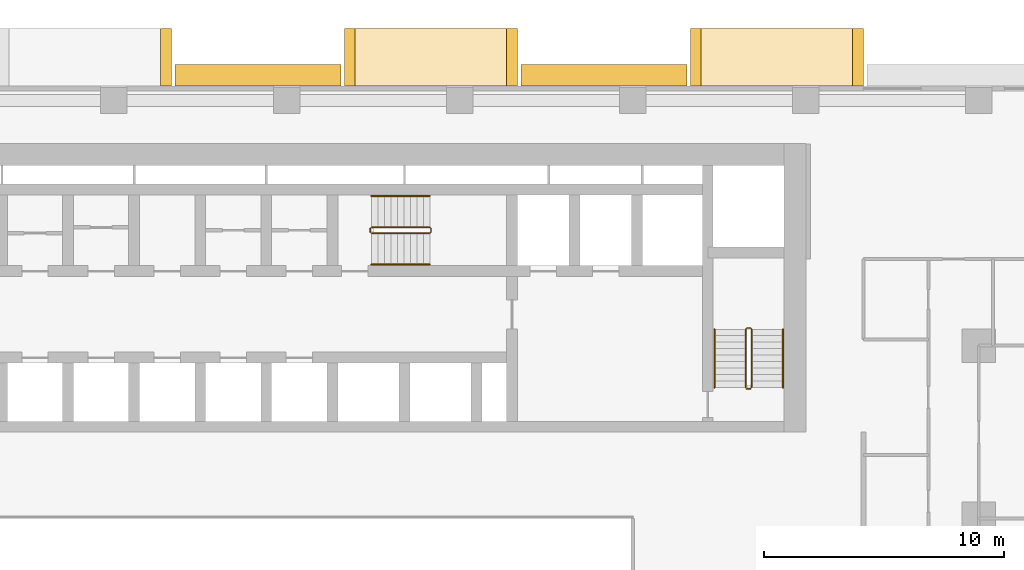
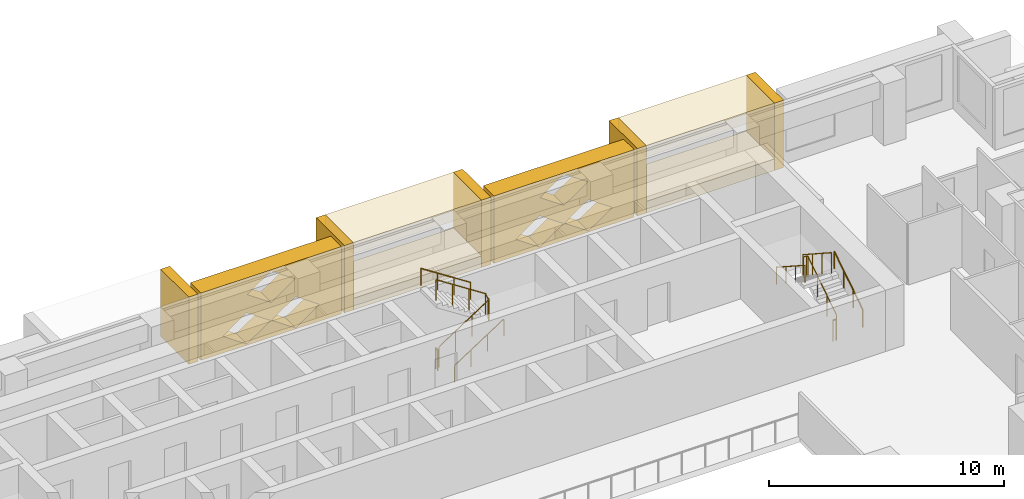
# One storey, part 16 of 17: 11 coverings, 8 railings.
"""IFC4 building model written with IfcOpenShell, lengths in metres."""

from ifc_helpers import new_model, si_unit, direction, frame, origin, origin_2d, place, context, subcontext, project, spatial, polyline, circle, outline, extrude, material, type_object, element, save


model = new_model("IFC4")

# Units and contexts
model_context = context("Model", 3, precision=1e-05, world=origin(), true_north=direction((0.0, 1.0)))
body_context = subcontext(model_context, "Body", "Model", "MODEL_VIEW")
ifc_project = project(units=[si_unit("LENGTHUNIT", "METRE"), si_unit("AREAUNIT", "SQUARE_METRE"), si_unit("VOLUMEUNIT", "CUBIC_METRE"), si_unit("PLANEANGLEUNIT", "RADIAN"), si_unit("MASSUNIT", "GRAM", prefix="KILO")], contexts=[model_context])

# Site, building, storey
site_placement = place(None, origin())
site = spatial("IfcSite", under=ifc_project, at=site_placement, CompositionType="ELEMENT")
building_placement = place(site_placement, origin())
building = spatial("IfcBuilding", under=site, at=building_placement, Name="Saffron Iwan Residences", CompositionType="ELEMENT")
storey_placement = place(building_placement, frame((0.0, 0.0, 51.5)))
storey = spatial("IfcBuildingStorey", under=building, at=storey_placement, Name="L12", CompositionType="ELEMENT", Elevation=51.5)

# Coverings
ifc_material_1 = material(Name="Precast concrete C40/50", Category="concrete")
covering_type_1 = type_object("IfcCoveringType", Name="OUTER SKIN LATTICE SCREEN", PredefinedType="CLADDING", material=ifc_material_1)
for number, where, z_axis, x_axis, name in (
    (1, (67.050048828125, 80.39990234375, -0.320068359375), (0.0, 1.0, 0.0), (-1.0, 0.0, 0.0), "OUTER SKIN lattice screen L12 F5.1"),
    (2, (52.64990234375, 80.39990234375, -0.320068359375), (0.0, 1.0, 0.0), (-1.0, 0.0, 0.0), "OUTER SKIN lattice screen L12 F5.2"),
):
    element("IfcCovering", number, at=place(storey_placement, frame(where, z_axis=z_axis, x_axis=x_axis)), inside=storey, type_object=covering_type_1, Name=name, PredefinedType="CLADDING", context=body_context, shape_type="SweptSolid", body=[
        extrude(outline(polyline([(0.0, 0.0), (6.89990234375, 0.0), (6.89990234375, 3.5), (0.0, 3.5), (0.0, 0.0)]), holes=[polyline([(1.070068359375, 0.875), (2.25, 0.06005859375), (3.429931640625, 0.875), (2.25, 1.68994140625), (1.070068359375, 0.875)]), polyline([(3.469970703125, 0.875), (4.64990234375, 0.06005859375), (5.830078125, 0.875), (4.64990234375, 1.68994140625), (3.469970703125, 0.875)]), polyline([(2.27001953125, 2.625), (3.449951171875, 1.81005859375), (4.6298828125, 2.625), (3.449951171875, 3.43994140625), (2.27001953125, 2.625)])]), origin(), (0.0, 0.0, 1.0), 0.900146484375),
    ])

# Railings
ifc_material_2 = material(Name="Steel S355", Category="steel")
railing_type_1 = type_object("IfcRailingType", Name="Stair guard 1100", PredefinedType="GUARDRAIL", material=ifc_material_2)
railing_1_placement = place(storey_placement, frame((53.925048828125, 74.27490234375, 0.175048828125)))
element("IfcRailing", 3, at=railing_1_placement, inside=storey, type_object=railing_type_1, Name="L12 ST-C stair guard 1", PredefinedType="GUARDRAIL", context=body_context, shape_type="SweptSolid", body=[
    extrude(circle(Radius=0.02392578125, at=origin_2d()), frame((0.0, 0.0, 1.076171875), z_axis=(0.839153699163, 0.0, 0.543894354798), x_axis=(0.0, 1.0, 0.0)), (0.0, 0.0, 1.0), 2.895751953125),
    extrude(circle(Radius=0.02392578125, at=origin_2d()), frame((2.429931640625, 0.0, 2.65087890625), z_axis=(0.707106781187, 0.707106781187, 0.0), x_axis=(-0.707106781187, 0.707106781187, 0.0)), (0.0, 0.0, 1.0), 0.07080078125),
    extrude(circle(Radius=0.02392578125, at=origin_2d()), frame((2.47998046875, 0.050048828125, 2.65087890625), z_axis=(0.0, 1.0, 0.0), x_axis=(-1.0, 0.0, 0.0)), (0.0, 0.0, 1.0), 0.150146484375),
    extrude(circle(Radius=0.02392578125, at=origin_2d()), frame((2.47998046875, 0.2001953125, 2.65087890625), z_axis=(-0.265155923931, 0.263862480399, 0.927399011991), x_axis=(-0.705375805398, -0.708833529934, 0.0)), (0.0, 0.0, 1.0), 0.188720703125),
    extrude(circle(Radius=0.02392578125, at=origin_2d()), frame((2.429931640625, 0.25, 2.826171875), z_axis=(-0.839153699163, 0.0, 0.543894354798), x_axis=(0.0, -1.0, 0.0)), (0.0, 0.0, 1.0), 2.895751953125),
    extrude(circle(Radius=0.02099609375, at=origin_2d()), origin(), (0.0, 0.0, 1.0), 1.052001953125),
    extrude(circle(Radius=0.02099609375, at=origin_2d()), frame((0.81005859375, 0.0, 0.52490234375)), (0.0, 0.0, 1.0), 1.052001953125),
    extrude(circle(Radius=0.02099609375, at=origin_2d()), frame((1.619873046875, 0.0, 1.050048828125)), (0.0, 0.0, 1.0), 1.052001953125),
    extrude(circle(Radius=0.02099609375, at=origin_2d()), frame((2.429931640625, 0.0, 1.574951171875)), (0.0, 0.0, 1.0), 1.052001953125),
    extrude(circle(Radius=0.02099609375, at=origin_2d()), frame((2.47998046875, 0.050048828125, 1.574951171875)), (0.0, 0.0, 1.0), 1.052001953125),
    extrude(circle(Radius=0.02099609375, at=origin_2d()), frame((2.47998046875, 0.2001953125, 1.574951171875)), (0.0, 0.0, 1.0), 1.052001953125),
    extrude(circle(Radius=0.02099609375, at=origin_2d()), frame((2.429931640625, 0.25, 1.75)), (0.0, 0.0, 1.0), 1.052001953125),
    extrude(circle(Radius=0.02099609375, at=origin_2d()), frame((1.619873046875, 0.25, 2.27490234375)), (0.0, 0.0, 1.0), 1.052001953125),
    extrude(circle(Radius=0.02099609375, at=origin_2d()), frame((0.81005859375, 0.25, 2.800048828125)), (0.0, 0.0, 1.0), 1.052001953125),
    extrude(circle(Radius=0.02099609375, at=origin_2d()), frame((0.0, 0.25, 3.324951171875)), (0.0, 0.0, 1.0), 1.052001953125),
])
railing_2_placement = place(storey_placement, frame((53.875, 74.324951171875, 0.0)))
element("IfcRailing", 4, at=railing_2_placement, inside=storey, type_object=railing_type_1, Name="L12 ST-C stair guard 2", PredefinedType="GUARDRAIL", context=body_context, shape_type="SweptSolid", body=[
    extrude(circle(Radius=0.02392578125, at=origin_2d()), frame((0.0, 0.0, 1.076171875), z_axis=(0.0, 1.0, 0.0), x_axis=(-1.0, 0.0, 0.0)), (0.0, 0.0, 1.0), 0.150146484375),
    extrude(circle(Radius=0.02099609375, at=origin_2d()), origin(), (0.0, 0.0, 1.0), 1.052001953125),
    extrude(circle(Radius=0.02099609375, at=origin_2d()), frame((0.0, 0.150146484375, 0.0)), (0.0, 0.0, 1.0), 1.052001953125),
])
railing_3_placement = place(storey_placement, frame((69.75, 67.85009765625, 0.175048828125)))
element("IfcRailing", 5, at=railing_3_placement, inside=storey, type_object=railing_type_1, Name="L12 ST-E stair guard 1", PredefinedType="GUARDRAIL", context=body_context, shape_type="SweptSolid", body=[
    extrude(circle(Radius=0.02392578125, at=origin_2d()), frame((0.0, 0.0, 1.076171875), z_axis=(0.0, 0.839153699163, 0.543894354798), x_axis=(-1.0, 0.0, 0.0)), (0.0, 0.0, 1.0), 2.895751953125),
    extrude(circle(Radius=0.02392578125, at=origin_2d()), frame((0.0, 2.429931640625, 2.65087890625), z_axis=(-0.707106781187, 0.707106781187, 0.0), x_axis=(-0.707106781187, -0.707106781187, 0.0)), (0.0, 0.0, 1.0), 0.07080078125),
    extrude(circle(Radius=0.02392578125, at=origin_2d()), frame((-0.050048828125, 2.47998046875, 2.65087890625), z_axis=(-1.0, 0.0, 0.0), x_axis=(0.0, -1.0, 0.0)), (0.0, 0.0, 1.0), 0.14990234375),
    extrude(circle(Radius=0.02392578125, at=origin_2d()), frame((-0.199951171875, 2.47998046875, 2.65087890625), z_axis=(-0.265065253269, -0.265065253269, 0.927081885822), x_axis=(0.707106781187, -0.707106781187, 0.0)), (0.0, 0.0, 1.0), 0.188720703125),
    extrude(circle(Radius=0.02392578125, at=origin_2d()), frame((-0.25, 2.429931640625, 2.826171875), z_axis=(0.0, -0.839153699163, 0.543894354798), x_axis=(1.0, 0.0, 0.0)), (0.0, 0.0, 1.0), 2.895751953125),
    extrude(circle(Radius=0.02099609375, at=origin_2d()), origin(), (0.0, 0.0, 1.0), 1.052001953125),
    extrude(circle(Radius=0.02099609375, at=origin_2d()), frame((0.0, 0.81005859375, 0.52490234375)), (0.0, 0.0, 1.0), 1.052001953125),
    extrude(circle(Radius=0.02099609375, at=origin_2d()), frame((0.0, 1.619873046875, 1.050048828125)), (0.0, 0.0, 1.0), 1.052001953125),
    extrude(circle(Radius=0.02099609375, at=origin_2d()), frame((0.0, 2.429931640625, 1.574951171875)), (0.0, 0.0, 1.0), 1.052001953125),
    extrude(circle(Radius=0.02099609375, at=origin_2d()), frame((-0.050048828125, 2.47998046875, 1.574951171875)), (0.0, 0.0, 1.0), 1.052001953125),
    extrude(circle(Radius=0.02099609375, at=origin_2d()), frame((-0.199951171875, 2.47998046875, 1.574951171875)), (0.0, 0.0, 1.0), 1.052001953125),
    extrude(circle(Radius=0.02099609375, at=origin_2d()), frame((-0.25, 2.429931640625, 1.75)), (0.0, 0.0, 1.0), 1.052001953125),
    extrude(circle(Radius=0.02099609375, at=origin_2d()), frame((-0.25, 1.619873046875, 2.27490234375)), (0.0, 0.0, 1.0), 1.052001953125),
    extrude(circle(Radius=0.02099609375, at=origin_2d()), frame((-0.25, 0.81005859375, 2.800048828125)), (0.0, 0.0, 1.0), 1.052001953125),
    extrude(circle(Radius=0.02099609375, at=origin_2d()), frame((-0.25, 0.0, 3.324951171875)), (0.0, 0.0, 1.0), 1.052001953125),
])
railing_4_placement = place(storey_placement, frame((69.699951171875, 67.800048828125, 0.0)))
element("IfcRailing", 6, at=railing_4_placement, inside=storey, type_object=railing_type_1, Name="L12 ST-E stair guard 2", PredefinedType="GUARDRAIL", context=body_context, shape_type="SweptSolid", body=[
    extrude(circle(Radius=0.02392578125, at=origin_2d()), frame((0.0, 0.0, 1.076171875), z_axis=(-1.0, 0.0, 0.0), x_axis=(0.0, -1.0, 0.0)), (0.0, 0.0, 1.0), 0.14990234375),
    extrude(circle(Radius=0.02099609375, at=origin_2d()), origin(), (0.0, 0.0, 1.0), 1.052001953125),
    extrude(circle(Radius=0.02099609375, at=origin_2d()), frame((-0.14990234375, 0.0, 0.0)), (0.0, 0.0, 1.0), 1.052001953125),
])
ifc_material_3 = material(Name="Stainless steel 316", Category="steel")
railing_type_2 = type_object("IfcRailingType", Name="Stair handrail 900", PredefinedType="HANDRAIL", material=ifc_material_3)
railing_5_placement = place(storey_placement, frame((53.925048828125, 72.97509765625, 0.175048828125)))
element("IfcRailing", 7, at=railing_5_placement, inside=storey, type_object=railing_type_2, Name="L12 ST-C stair handrail 1", PredefinedType="HANDRAIL", context=body_context, shape_type="SweptSolid", body=[
    extrude(circle(Radius=0.02392578125, at=origin_2d()), frame((0.0, 0.0, 0.8759765625), z_axis=(0.839153699163, 0.0, 0.543894354798), x_axis=(0.0, 1.0, 0.0)), (0.0, 0.0, 1.0), 2.895751953125),
    extrude(circle(Radius=0.02099609375, at=origin_2d()), origin(), (0.0, 0.0, 1.0), 0.851806640625),
    extrude(circle(Radius=0.02099609375, at=origin_2d()), frame((0.81005859375, 0.0, 0.52490234375)), (0.0, 0.0, 1.0), 0.851806640625),
    extrude(circle(Radius=0.02099609375, at=origin_2d()), frame((1.619873046875, 0.0, 1.050048828125)), (0.0, 0.0, 1.0), 0.851806640625),
    extrude(circle(Radius=0.02099609375, at=origin_2d()), frame((2.429931640625, 0.0, 1.574951171875)), (0.0, 0.0, 1.0), 0.851806640625),
])
railing_6_placement = place(storey_placement, frame((56.35498046875, 75.824951171875, 1.925048828125)))
element("IfcRailing", 8, at=railing_6_placement, inside=storey, type_object=railing_type_2, Name="L12 ST-C stair handrail 2", PredefinedType="HANDRAIL", context=body_context, shape_type="SweptSolid", body=[
    extrude(circle(Radius=0.02392578125, at=origin_2d()), frame((0.0, 0.0, 0.8759765625), z_axis=(-0.839153699163, 0.0, 0.543894354798), x_axis=(0.0, -1.0, 0.0)), (0.0, 0.0, 1.0), 2.895751953125),
    extrude(circle(Radius=0.02099609375, at=origin_2d()), origin(), (0.0, 0.0, 1.0), 0.851806640625),
    extrude(circle(Radius=0.02099609375, at=origin_2d()), frame((-0.81005859375, 0.0, 0.52490234375)), (0.0, 0.0, 1.0), 0.851806640625),
    extrude(circle(Radius=0.02099609375, at=origin_2d()), frame((-1.619873046875, 0.0, 1.050048828125)), (0.0, 0.0, 1.0), 0.851806640625),
    extrude(circle(Radius=0.02099609375, at=origin_2d()), frame((-2.429931640625, 0.0, 1.574951171875)), (0.0, 0.0, 1.0), 0.851806640625),
])
railing_7_placement = place(storey_placement, frame((71.050048828125, 67.85009765625, 0.175048828125)))
element("IfcRailing", 9, at=railing_7_placement, inside=storey, type_object=railing_type_2, Name="L12 ST-E stair handrail 1", PredefinedType="HANDRAIL", context=body_context, shape_type="SweptSolid", body=[
    extrude(circle(Radius=0.02392578125, at=origin_2d()), frame((0.0, 0.0, 0.8759765625), z_axis=(0.0, 0.839153699163, 0.543894354798), x_axis=(-1.0, 0.0, 0.0)), (0.0, 0.0, 1.0), 2.895751953125),
    extrude(circle(Radius=0.02099609375, at=origin_2d()), origin(), (0.0, 0.0, 1.0), 0.851806640625),
    extrude(circle(Radius=0.02099609375, at=origin_2d()), frame((0.0, 0.81005859375, 0.52490234375)), (0.0, 0.0, 1.0), 0.851806640625),
    extrude(circle(Radius=0.02099609375, at=origin_2d()), frame((0.0, 1.619873046875, 1.050048828125)), (0.0, 0.0, 1.0), 0.851806640625),
    extrude(circle(Radius=0.02099609375, at=origin_2d()), frame((0.0, 2.429931640625, 1.574951171875)), (0.0, 0.0, 1.0), 0.851806640625),
])
railing_8_placement = place(storey_placement, frame((68.199951171875, 70.280029296875, 1.925048828125)))
element("IfcRailing", 10, at=railing_8_placement, inside=storey, type_object=railing_type_2, Name="L12 ST-E stair handrail 2", PredefinedType="HANDRAIL", context=body_context, shape_type="SweptSolid", body=[
    extrude(circle(Radius=0.02392578125, at=origin_2d()), frame((0.0, 0.0, 0.8759765625), z_axis=(0.0, -0.839153699163, 0.543894354798), x_axis=(1.0, 0.0, 0.0)), (0.0, 0.0, 1.0), 2.895751953125),
    extrude(circle(Radius=0.02099609375, at=origin_2d()), origin(), (0.0, 0.0, 1.0), 0.851806640625),
    extrude(circle(Radius=0.02099609375, at=origin_2d()), frame((0.0, -0.81005859375, 0.52490234375)), (0.0, 0.0, 1.0), 0.851806640625),
    extrude(circle(Radius=0.02099609375, at=origin_2d()), frame((0.0, -1.619873046875, 1.050048828125)), (0.0, 0.0, 1.0), 0.851806640625),
    extrude(circle(Radius=0.02099609375, at=origin_2d()), frame((0.0, -2.429931640625, 1.574951171875)), (0.0, 0.0, 1.0), 0.851806640625),
])

# Coverings
ifc_material_4 = material(Name="Precast concrete C40/50 white painted", Category="concrete")
covering_type_2 = type_object("IfcCoveringType", Name="WHITE SUN FRAME PRECAST", PredefinedType="CLADDING", material=ifc_material_4)
for number, where, z_axis, x_axis, name in (
    (11, (74.39990234375, 80.39990234375, -0.320068359375), (0.0, 1.0, 0.0), (-1.0, 0.0, 0.0), "Sun frame L12 F5 8.4a"),
    (12, (67.64990234375, 80.39990234375, -0.320068359375), (0.0, 1.0, 0.0), (-1.0, 0.0, 0.0), "Sun frame L12 F5 8.4b"),
):
    element("IfcCovering", number, at=place(storey_placement, frame(where, z_axis=z_axis, x_axis=x_axis)), inside=storey, type_object=covering_type_2, Name=name, PredefinedType="CLADDING", context=body_context, shape_type="SweptSolid", body=[
        extrude(outline(polyline([(0.0, 0.0), (0.449951171875, 0.0), (0.449951171875, 3.5), (0.0, 3.5), (0.0, 0.0)])), origin(), (0.0, 0.0, 1.0), 2.400146484375),
    ])
for number, where, z_axis, x_axis, name in (
    (13, (73.949951171875, 80.39990234375, 2.580078125), (0.0, 1.0, 0.0), (-1.0, 0.0, 0.0), "Sun frame L12 F5 8.4h"),
    (14, (73.949951171875, 80.39990234375, -0.320068359375), (0.0, 1.0, 0.0), (-1.0, 0.0, 0.0), "Sun frame L12 F5 8.4s"),
):
    element("IfcCovering", number, at=place(storey_placement, frame(where, z_axis=z_axis, x_axis=x_axis)), inside=storey, type_object=covering_type_2, Name=name, PredefinedType="CLADDING", context=body_context, shape_type="SweptSolid", body=[
        extrude(outline(polyline([(0.0, 0.0), (6.300048828125, 0.0), (6.300048828125, 0.60009765625), (0.0, 0.60009765625), (0.0, 0.0)])), origin(), (0.0, 0.0, 1.0), 2.400146484375),
    ])
for number, where, z_axis, x_axis, name in (
    (15, (60.0, 80.39990234375, -0.320068359375), (0.0, 1.0, 0.0), (-1.0, 0.0, 0.0), "Sun frame L12 F5 22.8a"),
    (16, (53.25, 80.39990234375, -0.320068359375), (0.0, 1.0, 0.0), (-1.0, 0.0, 0.0), "Sun frame L12 F5 22.8b"),
):
    element("IfcCovering", number, at=place(storey_placement, frame(where, z_axis=z_axis, x_axis=x_axis)), inside=storey, type_object=covering_type_2, Name=name, PredefinedType="CLADDING", context=body_context, shape_type="SweptSolid", body=[
        extrude(outline(polyline([(0.0, 0.0), (0.449951171875, 0.0), (0.449951171875, 3.5), (0.0, 3.5), (0.0, 0.0)])), origin(), (0.0, 0.0, 1.0), 2.400146484375),
    ])
for number, where, z_axis, x_axis, name in (
    (17, (59.550048828125, 80.39990234375, 2.580078125), (0.0, 1.0, 0.0), (-1.0, 0.0, 0.0), "Sun frame L12 F5 22.8h"),
    (18, (59.550048828125, 80.39990234375, -0.320068359375), (0.0, 1.0, 0.0), (-1.0, 0.0, 0.0), "Sun frame L12 F5 22.8s"),
):
    element("IfcCovering", number, at=place(storey_placement, frame(where, z_axis=z_axis, x_axis=x_axis)), inside=storey, type_object=covering_type_2, Name=name, PredefinedType="CLADDING", context=body_context, shape_type="SweptSolid", body=[
        extrude(outline(polyline([(0.0, 0.0), (6.300048828125, 0.0), (6.300048828125, 0.60009765625), (0.0, 0.60009765625), (0.0, 0.0)])), origin(), (0.0, 0.0, 1.0), 2.400146484375),
    ])
covering_placement = place(storey_placement, frame((45.60009765625, 80.39990234375, -0.320068359375), z_axis=(0.0, 1.0, 0.0), x_axis=(-1.0, 0.0, 0.0)))
element("IfcCovering", 19, at=covering_placement, inside=storey, type_object=covering_type_2, Name="Sun frame L12 F5 37.2a", PredefinedType="CLADDING", context=body_context, shape_type="SweptSolid", body=[
    extrude(outline(polyline([(0.0, 0.0), (0.449951171875, 0.0), (0.449951171875, 3.5), (0.0, 3.5), (0.0, 0.0)])), origin(), (0.0, 0.0, 1.0), 2.400146484375),
])

save(model, "model.ifc")
